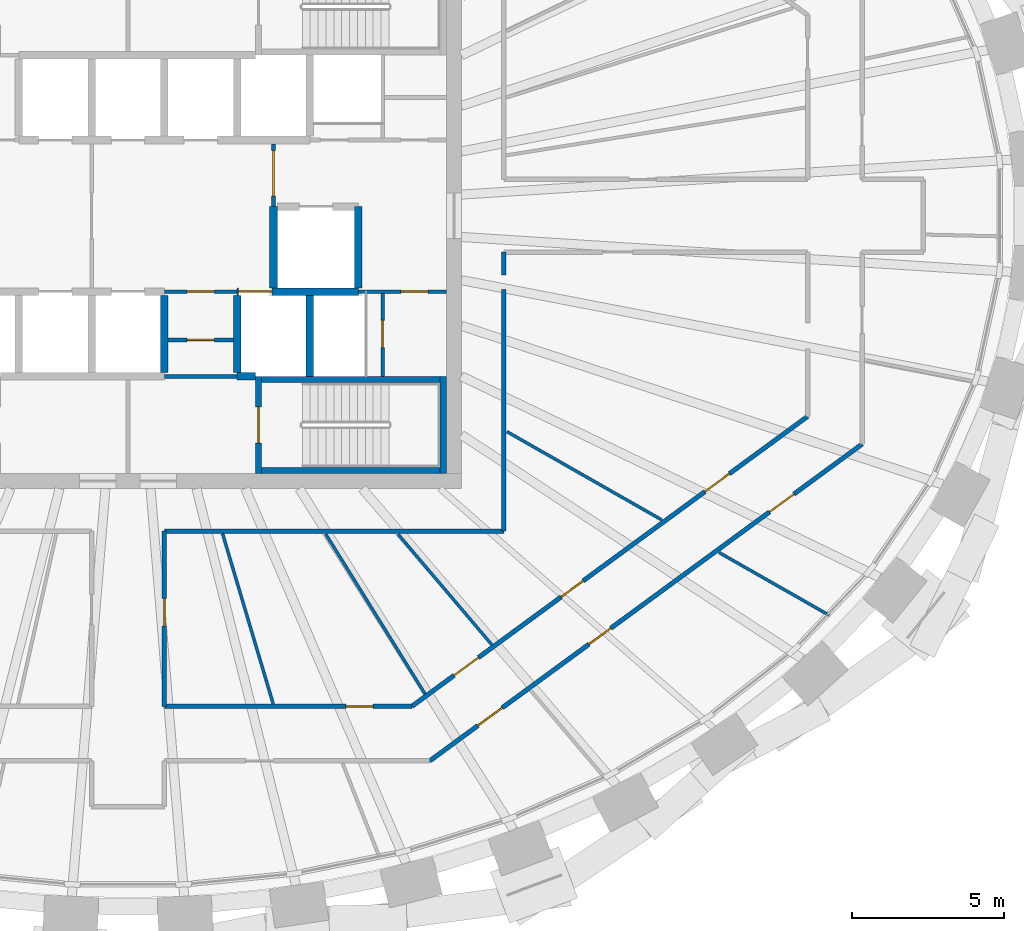
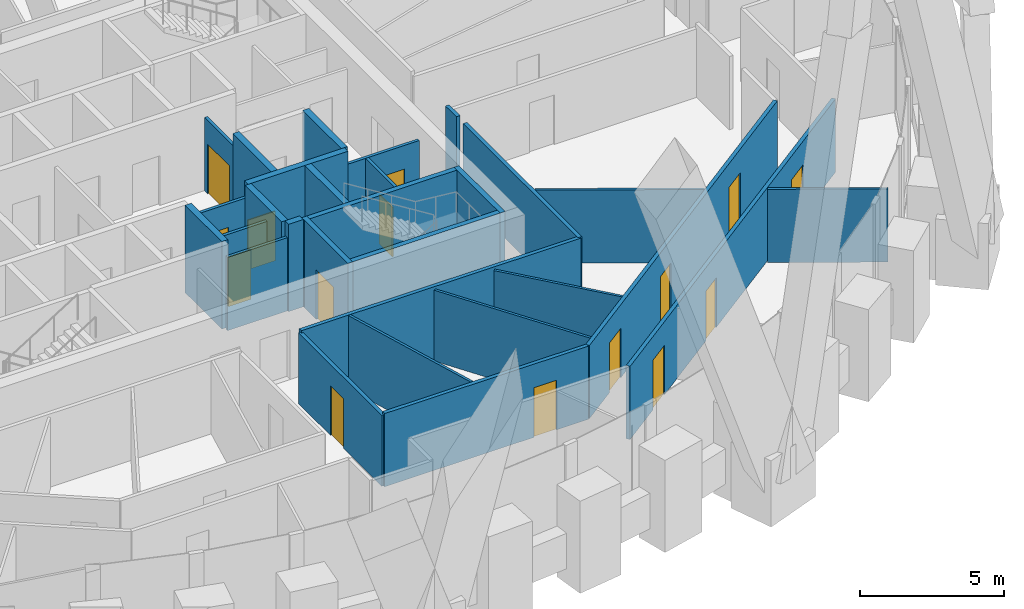
# One storey, part 9 of 13: 29 walls, 15 doors, 15 openings.
"""IFC4 building model written with IfcOpenShell, lengths in metres."""

from ifc_helpers import new_model, si_unit, direction, frame, frame_2d, origin, place, context, subcontext, project, spatial, rectangle, extrude, source, transform, mapped, material, layer, layer_set, type_object, element, fill, save


model = new_model("IFC4")

# Units and contexts
model_context = context("Model", 3, precision=1e-05, world=origin(), true_north=direction((0.0, 1.0)))
body_context = subcontext(model_context, "Body", "Model", "MODEL_VIEW")
ifc_project = project(units=[si_unit("LENGTHUNIT", "METRE"), si_unit("AREAUNIT", "SQUARE_METRE"), si_unit("VOLUMEUNIT", "CUBIC_METRE"), si_unit("PLANEANGLEUNIT", "RADIAN"), si_unit("MASSUNIT", "GRAM", prefix="KILO")], contexts=[model_context])

# Site, building, storey
site_placement = place(None, origin())
site = spatial("IfcSite", under=ifc_project, at=site_placement, CompositionType="ELEMENT")
building_placement = place(site_placement, origin())
building = spatial("IfcBuilding", under=site, at=building_placement, Name="Embergate Tower", CompositionType="ELEMENT")
storey_placement = place(building_placement, frame((0.0, 0.0, 316.89990234375)))
storey = spatial("IfcBuildingStorey", under=building, at=storey_placement, Name="L74", CompositionType="ELEMENT", Elevation=316.89990234375)

# Wall, opening, door
ifc_material_1 = material(Name="Core partition blockwork 120")
ifc_layer_1 = layer(ifc_material_1, 0.1201171875)
ifc_layer_set_1 = layer_set([ifc_layer_1], Name="Core partition blockwork 120")
wall_type_1 = type_object("IfcWallType", Name="Core partition blockwork 120", PredefinedType="PARTITIONING", material=ifc_layer_set_1)
shared_shape_1 = source(origin(), body_context, "Body", "SweptSolid", [
    extrude(rectangle(XDim=2.739990234375, YDim=0.1201171875, at=frame_2d((1.3701171875, 0.0))), origin(), (0.0, 0.0, 1.0), 3.10009765625),
])
wall_1_placement = place(storey_placement, frame((8.39990234375, -5.300048828125, 0.0), z_axis=(0.0, 0.0, 1.0), x_axis=(0.0, 1.0, 0.0)))
wall_1 = element("IfcWall", 1, at=wall_1_placement, inside=storey, type_object=wall_type_1, Name="IP-3 wall", PredefinedType="PARTITIONING", context=body_context, shape_type="MappedRepresentation", body=[
    mapped(shared_shape_1, transform((0.0, 0.0, 0.0))),
])
shared_shape_2 = source(origin(), body_context, "Body", "SweptSolid", [
    extrude(rectangle(XDim=0.89990234375, YDim=2.10009765625, at=frame_2d((0.449951171875, 1.050048828125))), frame((0.0, 0.070068359375, 0.0), z_axis=(0.0, -1.0, 0.0), x_axis=(1.0, 0.0, 0.0)), (0.0, 0.0, 1.0), 0.14013671875),
])
opening_1_placement = place(wall_1_placement, frame((0.949951171875, 0.0, 0.0)))
opening_1 = element("IfcOpeningElement", 2, at=opening_1_placement, cuts=wall_1, Name="Opening ID-1", PredefinedType="OPENING", context=body_context, shape_type="MappedRepresentation", body=[
    mapped(shared_shape_2, transform((0.0, 0.0, 0.0))),
])
ifc_material_2 = material(Name="Interior door 900")
door_type_1 = type_object("IfcDoorType", Name="Interior door 900", OperationType="SINGLE_SWING_LEFT", PredefinedType="DOOR", material=ifc_material_2)
shared_shape_3 = source(origin(), body_context, "Body", "SweptSolid", [
    extrude(rectangle(XDim=0.89990234375, YDim=2.10009765625, at=frame_2d((0.449951171875, 1.050048828125))), frame((0.0, 0.02490234375, 0.0), z_axis=(0.0, -1.0, 0.0), x_axis=(1.0, 0.0, 0.0)), (0.0, 0.0, 1.0), 0.050048828125),
])
door_1_placement = place(opening_1_placement, origin())
door_1 = element("IfcDoor", 3, at=door_1_placement, inside=storey, type_object=door_type_1, Name="ID-1 door", OperationType="SINGLE_SWING_RIGHT", OverallHeight=2.10009765625, OverallWidth=0.89990234375, PredefinedType="DOOR", context=body_context, shape_type="MappedRepresentation", body=[
    mapped(shared_shape_3, transform((0.0, 0.0, 0.0))),
])
fill(opening_1, door_1)

shared_shape_4 = source(origin(), body_context, "Body", "SweptSolid", [
    extrude(rectangle(XDim=2.074951171875, YDim=0.1201171875, at=frame_2d((1.03759765625, 0.0))), origin(), (0.0, 0.0, 1.0), 3.10009765625),
])
wall_2_placement = place(storey_placement, frame((4.800048828125, 0.300048828125, 0.0), z_axis=(0.0, 0.0, 1.0), x_axis=(0.0, 1.0, 0.0)))
wall_2 = element("IfcWall", 4, at=wall_2_placement, inside=storey, type_object=wall_type_1, Name="IP-3 wall", PredefinedType="PARTITIONING", context=body_context, shape_type="MappedRepresentation", body=[
    mapped(shared_shape_4, transform((0.0, 0.0, 0.0))),
])
shared_shape_5 = source(origin(), body_context, "Body", "SweptSolid", [
    extrude(rectangle(XDim=1.5, YDim=2.10009765625, at=frame_2d((0.75, 1.050048828125))), frame((0.0, 0.070068359375, 0.0), z_axis=(0.0, -1.0, 0.0), x_axis=(1.0, 0.0, 0.0)), (0.0, 0.0, 1.0), 0.14013671875),
])
opening_2_placement = place(wall_2_placement, frame((0.35009765625, 0.0, 0.0)))
opening_2 = element("IfcOpeningElement", 5, at=opening_2_placement, cuts=wall_2, Name="Opening IF-3", PredefinedType="OPENING", context=body_context, shape_type="MappedRepresentation", body=[
    mapped(shared_shape_5, transform((0.0, 0.0, 0.0))),
])
ifc_material_3 = material(Name="Lobby fire door pair 1500")
door_type_2 = type_object("IfcDoorType", Name="Lobby fire door pair 1500", OperationType="DOUBLE_DOOR_SINGLE_SWING", PredefinedType="DOOR", material=ifc_material_3)
shared_shape_6 = source(origin(), body_context, "Body", "SweptSolid", [
    extrude(rectangle(XDim=1.5, YDim=2.10009765625, at=frame_2d((0.75, 1.050048828125))), frame((0.0, 0.02490234375, 0.0), z_axis=(0.0, -1.0, 0.0), x_axis=(1.0, 0.0, 0.0)), (0.0, 0.0, 1.0), 0.050048828125),
])
door_2_placement = place(opening_2_placement, origin())
door_2 = element("IfcDoor", 6, at=door_2_placement, inside=storey, type_object=door_type_2, Name="IF-3 door", OperationType="DOUBLE_DOOR_SINGLE_SWING", OverallHeight=2.10009765625, OverallWidth=1.5, PredefinedType="DOOR", context=body_context, shape_type="MappedRepresentation", body=[
    mapped(shared_shape_6, transform((0.0, 0.0, 0.0))),
])
fill(opening_2, door_2)

# Walls
ifc_material_4 = material(Name="Concrete C50", Category="concrete")
ifc_layer_2 = layer(ifc_material_4, 0.25)
ifc_layer_set_2 = layer_set([ifc_layer_2], Name="Concrete C50")
wall_type_2 = type_object("IfcWallType", Name="Hoistway wall reinforced concrete 250", PredefinedType="SHEAR", material=ifc_layer_set_2)
shared_shape_7 = source(origin(), body_context, "Body", "SweptSolid", [
    extrude(rectangle(XDim=2.675048828125, YDim=0.25, at=frame_2d((1.33740234375, 0.0))), origin(), (0.0, 0.0, 1.0), 3.7001953125),
])
for number, where, z_axis, x_axis, name in (
    (7, (6.0, -5.300048828125, 0.0), (0.0, 0.0, 1.0), (0.0, 1.0, 0.0), "HW-1 wall"),
    (8, (4.800048828125, -2.375, 0.0), (0.0, 0.0, 1.0), (0.0, 1.0, 0.0), "HW-1 wall"),
    (9, (7.60009765625, -2.375, 0.0), (0.0, 0.0, 1.0), (0.0, 1.0, 0.0), "HW-1 wall"),
):
    element("IfcWall", number, at=place(storey_placement, frame(where, z_axis=z_axis, x_axis=x_axis)), inside=storey, type_object=wall_type_2, Name=name, PredefinedType="SHEAR", context=body_context, shape_type="MappedRepresentation", body=[
        mapped(shared_shape_7, transform((0.0, 0.0, 0.0))),
    ])
ifc_layer_3 = layer(ifc_material_4, 0.199951171875)
ifc_layer_set_3 = layer_set([ifc_layer_3], Name="Concrete C50")
wall_type_3 = type_object("IfcWallType", Name="Stair enclosure wall reinforced concrete 250", PredefinedType="SHEAR", material=ifc_layer_set_3)
shared_shape_8 = source(origin(), body_context, "Body", "SweptSolid", [
    extrude(rectangle(XDim=6.300048828125, YDim=0.199951171875, at=frame_2d((3.14990234375, 0.0))), origin(), (0.0, 0.0, 1.0), 3.7001953125),
])
wall_3_placement = place(storey_placement, frame((4.199951171875, -5.39990234375, 0.0), z_axis=(0.0, 0.0, 1.0), x_axis=(1.0, 0.0, 0.0)))
element("IfcWall", 10, at=wall_3_placement, inside=storey, type_object=wall_type_3, Name="SE-1 wall", PredefinedType="SHEAR", context=body_context, shape_type="MappedRepresentation", body=[
    mapped(shared_shape_8, transform((0.0, 0.0, 0.0))),
])
shared_shape_9 = source(origin(), body_context, "Body", "SweptSolid", [
    extrude(rectangle(XDim=2.550048828125, YDim=0.25, at=frame_2d((1.27490234375, 0.0))), origin(), (0.0, 0.0, 1.0), 3.7001953125),
])
for number, where, z_axis, x_axis, name in (
    (11, (1.199951171875, -5.175048828125, 0.0), (0.0, 0.0, 1.0), (0.0, 1.0, 0.0), "HW-1 wall"),
    (12, (3.60009765625, -2.625, 0.0), (0.0, 0.0, 1.0), (0.0, -1.0, 0.0), "HW-1 wall"),
):
    element("IfcWall", number, at=place(storey_placement, frame(where, z_axis=z_axis, x_axis=x_axis)), inside=storey, type_object=wall_type_2, Name=name, PredefinedType="SHEAR", context=body_context, shape_type="MappedRepresentation", body=[
        mapped(shared_shape_9, transform((0.0, 0.0, 0.0))),
    ])

# Wall, opening, door
shared_shape_10 = source(origin(), body_context, "Body", "SweptSolid", [
    extrude(rectangle(XDim=3.199951171875, YDim=0.199951171875, at=frame_2d((1.60009765625, 0.0))), origin(), (0.0, 0.0, 1.0), 3.7001953125),
])
wall_4_placement = place(storey_placement, frame((4.300048828125, -5.300048828125, 0.0), z_axis=(0.0, 0.0, 1.0), x_axis=(0.0, -1.0, 0.0)))
wall_4 = element("IfcWall", 13, at=wall_4_placement, inside=storey, type_object=wall_type_3, Name="SE-1 wall", PredefinedType="SHEAR", context=body_context, shape_type="MappedRepresentation", body=[
    mapped(shared_shape_10, transform((0.0, 0.0, 0.0))),
])
shared_shape_11 = source(origin(), body_context, "Body", "SweptSolid", [
    extrude(rectangle(XDim=1.199951171875, YDim=2.10009765625, at=frame_2d((0.60009765625, 1.050048828125))), frame((0.0, 0.10986328125, 0.0), z_axis=(0.0, -1.0, 0.0), x_axis=(1.0, 0.0, 0.0)), (0.0, 0.0, 1.0), 0.219970703125),
])
opening_3_placement = place(wall_4_placement, frame((1.0, 0.0, 0.0)))
opening_3 = element("IfcOpeningElement", 14, at=opening_3_placement, cuts=wall_4, Name="Opening IF-2", PredefinedType="OPENING", context=body_context, shape_type="MappedRepresentation", body=[
    mapped(shared_shape_11, transform((0.0, 0.0, 0.0))),
])
ifc_material_5 = material(Name="Stair enclosure door 1200")
door_type_3 = type_object("IfcDoorType", Name="Stair enclosure door 1200", OperationType="SINGLE_SWING_LEFT", PredefinedType="DOOR", material=ifc_material_5)
shared_shape_12 = source(origin(), body_context, "Body", "SweptSolid", [
    extrude(rectangle(XDim=1.199951171875, YDim=2.10009765625, at=frame_2d((0.60009765625, 1.050048828125))), frame((0.0, 0.02490234375, 0.0), z_axis=(0.0, -1.0, 0.0), x_axis=(1.0, 0.0, 0.0)), (0.0, 0.0, 1.0), 0.050048828125),
])
door_3_placement = place(opening_3_placement, origin())
door_3 = element("IfcDoor", 15, at=door_3_placement, inside=storey, type_object=door_type_3, Name="IF-2 door", OperationType="SINGLE_SWING_LEFT", OverallHeight=2.10009765625, OverallWidth=1.199951171875, PredefinedType="DOOR", context=body_context, shape_type="MappedRepresentation", body=[
    mapped(shared_shape_12, transform((0.0, 0.0, 0.0))),
])
fill(opening_3, door_3)

# Walls
shared_shape_13 = source(origin(), body_context, "Body", "SweptSolid", [
    extrude(rectangle(XDim=0.599853515625, YDim=0.25, at=frame_2d((0.2998046875, 0.0))), origin(), (0.0, 0.0, 1.0), 3.7001953125),
])
wall_5_placement = place(storey_placement, frame((3.60009765625, -5.300048828125, 0.0), z_axis=(0.0, 0.0, 1.0), x_axis=(1.0, 0.0, 0.0)))
element("IfcWall", 16, at=wall_5_placement, inside=storey, type_object=wall_type_2, Name="HW-1 wall", PredefinedType="SHEAR", context=body_context, shape_type="MappedRepresentation", body=[
    mapped(shared_shape_13, transform((0.0, 0.0, 0.0))),
])
ifc_material_6 = material(Name="Corridor wall dry-lined 150")
ifc_layer_4 = layer(ifc_material_6, 0.14990234375)
ifc_layer_set_4 = layer_set([ifc_layer_4], Name="Corridor wall dry-lined 150")
wall_type_4 = type_object("IfcWallType", Name="Corridor wall dry-lined 150", PredefinedType="PARTITIONING", material=ifc_layer_set_4)
shared_shape_14 = source(origin(), body_context, "Body", "SweptSolid", [
    extrude(rectangle(XDim=11.199951171875, YDim=0.14990234375, at=frame_2d((5.60009765625, 0.0))), origin(), (0.0, 0.0, 1.0), 3.10009765625),
])
wall_6_placement = place(storey_placement, frame((12.39990234375, -10.39990234375, 0.0), z_axis=(0.0, 0.0, 1.0), x_axis=(-1.0, 0.0, 0.0)))
element("IfcWall", 17, at=wall_6_placement, inside=storey, type_object=wall_type_4, Name="IP-2 wall", PredefinedType="PARTITIONING", context=body_context, shape_type="MappedRepresentation", body=[
    mapped(shared_shape_14, transform((0.0, 0.0, 0.0))),
])

# Wall, opening, door
shared_shape_15 = source(origin(), body_context, "Body", "SweptSolid", [
    extrude(rectangle(XDim=2.89990234375, YDim=0.1201171875, at=frame_2d((1.449951171875, 0.0))), origin(), (0.0, 0.0, 1.0), 3.10009765625),
])
wall_7_placement = place(storey_placement, frame((10.5, -2.5, 0.0), z_axis=(0.0, 0.0, 1.0), x_axis=(-1.0, 0.0, 0.0)))
wall_7 = element("IfcWall", 18, at=wall_7_placement, inside=storey, type_object=wall_type_1, Name="IP-3 wall", PredefinedType="PARTITIONING", context=body_context, shape_type="MappedRepresentation", body=[
    mapped(shared_shape_15, transform((0.0, 0.0, 0.0))),
])
opening_4_placement = place(wall_7_placement, frame((0.60009765625, 0.0, 0.0)))
opening_4 = element("IfcOpeningElement", 19, at=opening_4_placement, cuts=wall_7, Name="Opening ID-1", PredefinedType="OPENING", context=body_context, shape_type="MappedRepresentation", body=[
    mapped(shared_shape_2, transform((0.0, 0.0, 0.0))),
])
door_4_placement = place(opening_4_placement, origin())
door_4 = element("IfcDoor", 20, at=door_4_placement, inside=storey, type_object=door_type_1, Name="ID-1 door", OperationType="SINGLE_SWING_LEFT", OverallHeight=2.10009765625, OverallWidth=0.89990234375, PredefinedType="DOOR", context=body_context, shape_type="MappedRepresentation", body=[
    mapped(shared_shape_3, transform((0.0, 0.0, 0.0))),
])
fill(opening_4, door_4)

shared_shape_16 = source(origin(), body_context, "Body", "SweptSolid", [
    extrude(rectangle(XDim=2.400146484375, YDim=0.1201171875, at=frame_2d((1.2001953125, 0.0))), origin(), (0.0, 0.0, 1.0), 3.10009765625),
])
wall_8_placement = place(storey_placement, frame((1.199951171875, -2.5, 0.0), z_axis=(0.0, 0.0, 1.0), x_axis=(1.0, 0.0, 0.0)))
wall_8 = element("IfcWall", 21, at=wall_8_placement, inside=storey, type_object=wall_type_1, Name="IP-3 wall", PredefinedType="PARTITIONING", context=body_context, shape_type="MappedRepresentation", body=[
    mapped(shared_shape_16, transform((0.0, 0.0, 0.0))),
])
opening_5_placement = place(wall_8_placement, frame((0.75, 0.0, 0.0)))
opening_5 = element("IfcOpeningElement", 22, at=opening_5_placement, cuts=wall_8, Name="Opening ID-1", PredefinedType="OPENING", context=body_context, shape_type="MappedRepresentation", body=[
    mapped(shared_shape_2, transform((0.0, 0.0, 0.0))),
])
door_5_placement = place(opening_5_placement, origin())
door_5 = element("IfcDoor", 23, at=door_5_placement, inside=storey, type_object=door_type_1, Name="ID-1 door", OperationType="SINGLE_SWING_LEFT", OverallHeight=2.10009765625, OverallWidth=0.89990234375, PredefinedType="DOOR", context=body_context, shape_type="MappedRepresentation", body=[
    mapped(shared_shape_3, transform((0.0, 0.0, 0.0))),
])
fill(opening_5, door_5)

# Wall
wall_9_placement = place(storey_placement, frame((3.60009765625, -5.300048828125, 0.0), z_axis=(0.0, 0.0, 1.0), x_axis=(-1.0, 0.0, 0.0)))
element("IfcWall", 24, at=wall_9_placement, inside=storey, type_object=wall_type_1, Name="IP-3 wall", PredefinedType="PARTITIONING", context=body_context, shape_type="MappedRepresentation", body=[
    mapped(shared_shape_16, transform((0.0, 0.0, 0.0))),
])

# Wall, opening, door
shared_shape_17 = source(origin(), body_context, "Body", "SweptSolid", [
    extrude(rectangle(XDim=2.150146484375, YDim=0.1201171875, at=frame_2d((1.0751953125, 0.0))), origin(), (0.0, 0.0, 1.0), 3.10009765625),
])
wall_10_placement = place(storey_placement, frame((3.47509765625, -4.095947265625, 0.0), z_axis=(0.0, 0.0, 1.0), x_axis=(-1.0, 0.0, 0.0)))
wall_10 = element("IfcWall", 25, at=wall_10_placement, inside=storey, type_object=wall_type_1, Name="IP-3 wall", PredefinedType="PARTITIONING", context=body_context, shape_type="MappedRepresentation", body=[
    mapped(shared_shape_17, transform((0.0, 0.0, 0.0))),
])
opening_6_placement = place(wall_10_placement, frame((0.625, 0.0, 0.0)))
opening_6 = element("IfcOpeningElement", 26, at=opening_6_placement, cuts=wall_10, Name="Opening ID-1", PredefinedType="OPENING", context=body_context, shape_type="MappedRepresentation", body=[
    mapped(shared_shape_2, transform((0.0, 0.0, 0.0))),
])
door_6_placement = place(opening_6_placement, origin())
door_6 = element("IfcDoor", 27, at=door_6_placement, inside=storey, type_object=door_type_1, Name="ID-1 door", OperationType="SINGLE_SWING_RIGHT", OverallHeight=2.10009765625, OverallWidth=0.89990234375, PredefinedType="DOOR", context=body_context, shape_type="MappedRepresentation", body=[
    mapped(shared_shape_3, transform((0.0, 0.0, 0.0))),
])
fill(opening_6, door_6)

shared_shape_18 = source(origin(), body_context, "Body", "SweptSolid", [
    extrude(rectangle(XDim=4.0, YDim=0.25, at=frame_2d((2.0, 0.0))), origin(), (0.0, 0.0, 1.0), 3.7001953125),
])
wall_11_placement = place(storey_placement, frame((7.60009765625, -2.5, 0.0), z_axis=(0.0, 0.0, 1.0), x_axis=(-1.0, 0.0, 0.0)))
wall_11 = element("IfcWall", 28, at=wall_11_placement, inside=storey, type_object=wall_type_2, Name="HW-1 wall", PredefinedType="SHEAR", context=body_context, shape_type="MappedRepresentation", body=[
    mapped(shared_shape_18, transform((0.0, 0.0, 0.0))),
])
shared_shape_19 = source(origin(), body_context, "Body", "SweptSolid", [
    extrude(rectangle(XDim=1.10009765625, YDim=2.10009765625, at=frame_2d((0.550048828125, 1.050048828125))), frame((0.0, 0.135009765625, 0.0), z_axis=(0.0, -1.0, 0.0), x_axis=(1.0, 0.0, 0.0)), (0.0, 0.0, 1.0), 0.27001953125),
])
opening_7_placement = place(wall_11_placement, frame((2.85009765625, 0.0, 0.0)))
opening_7 = element("IfcOpeningElement", 29, at=opening_7_placement, cuts=wall_11, Name="Opening LD", PredefinedType="OPENING", context=body_context, shape_type="MappedRepresentation", body=[
    mapped(shared_shape_19, transform((0.0, 0.0, 0.0))),
])
ifc_material_7 = material(Name="Landing door sliding 1100")
door_type_4 = type_object("IfcDoorType", Name="Landing door sliding 1100", OperationType="SLIDING_TO_LEFT", PredefinedType="DOOR", material=ifc_material_7)
shared_shape_20 = source(origin(), body_context, "Body", "SweptSolid", [
    extrude(rectangle(XDim=1.10009765625, YDim=2.10009765625, at=frame_2d((0.550048828125, 1.050048828125))), frame((0.0, 0.02490234375, 0.0), z_axis=(0.0, -1.0, 0.0), x_axis=(1.0, 0.0, 0.0)), (0.0, 0.0, 1.0), 0.050048828125),
])
door_7_placement = place(opening_7_placement, origin())
door_7 = element("IfcDoor", 30, at=door_7_placement, inside=storey, type_object=door_type_4, Name="LD door", OperationType="SLIDING_TO_RIGHT", OverallHeight=2.10009765625, OverallWidth=1.10009765625, PredefinedType="DOOR", context=body_context, shape_type="MappedRepresentation", body=[
    mapped(shared_shape_20, transform((0.0, 0.0, 0.0))),
])
fill(opening_7, door_7)

# Walls
shared_shape_21 = source(origin(), body_context, "Body", "SweptSolid", [
    extrude(rectangle(XDim=6.298095703125, YDim=0.199951171875, at=frame_2d((3.14892578125, 0.0))), origin(), (0.0, 0.0, 1.0), 3.7001953125),
])
wall_12_placement = place(storey_placement, frame((4.201904296875, -8.39990234375, 0.0), z_axis=(0.0, 0.0, 1.0), x_axis=(1.0, 0.0, 0.0)))
element("IfcWall", 31, at=wall_12_placement, inside=storey, type_object=wall_type_3, Name="SE-1 wall", PredefinedType="SHEAR", context=body_context, shape_type="MappedRepresentation", body=[
    mapped(shared_shape_21, transform((0.0, 0.0, 0.0))),
])
shared_shape_22 = source(origin(), body_context, "Body", "SweptSolid", [
    extrude(rectangle(XDim=3.197998046875, YDim=0.199951171875, at=frame_2d((1.59912109375, 0.0))), origin(), (0.0, 0.0, 1.0), 3.7001953125),
])
wall_13_placement = place(storey_placement, frame((10.39990234375, -8.5, 0.0), z_axis=(0.0, 0.0, 1.0), x_axis=(0.0, 1.0, 0.0)))
element("IfcWall", 32, at=wall_13_placement, inside=storey, type_object=wall_type_3, Name="SE-1 wall", PredefinedType="SHEAR", context=body_context, shape_type="MappedRepresentation", body=[
    mapped(shared_shape_22, transform((0.0, 0.0, 0.0))),
])

# Wall, openings, doors
shared_shape_23 = source(origin(), body_context, "Body", "SweptSolid", [
    extrude(rectangle(XDim=17.682373046875, YDim=0.14990234375, at=frame_2d((8.84130859375, 0.0))), origin(), (0.0, 0.0, 1.0), 3.10009765625),
])
wall_14_placement = place(storey_placement, frame((24.217041015625, -7.532958984375, 0.0), z_axis=(0.0, 0.0, 1.0), x_axis=(-0.806686271558, -0.590979914447, 0.0)))
wall_14 = element("IfcWall", 33, at=wall_14_placement, inside=storey, type_object=wall_type_4, Name="IP-2 wall", PredefinedType="PARTITIONING", context=body_context, shape_type="MappedRepresentation", body=[
    mapped(shared_shape_23, transform((0.0, 0.0, 0.0))),
])
shared_shape_24 = source(origin(), body_context, "Body", "SweptSolid", [
    extrude(rectangle(XDim=1.0, YDim=2.10009765625, at=frame_2d((0.5, 1.050048828125))), frame((0.0, 0.0849609375, 0.0), z_axis=(0.0, -1.0, 0.0), x_axis=(1.0, 0.0, 0.0)), (0.0, 0.0, 1.0), 0.169921875),
])
opening_8_placement = place(wall_14_placement, frame((14.714599609375, 0.0, 0.0)))
opening_8 = element("IfcOpeningElement", 34, at=opening_8_placement, cuts=wall_14, Name="Opening ID-2", PredefinedType="OPENING", context=body_context, shape_type="MappedRepresentation", body=[
    mapped(shared_shape_24, transform((0.0, 0.0, 0.0))),
])
shared_shape_25 = source(origin(), body_context, "Body", "SweptSolid", [
    extrude(rectangle(XDim=0.89990234375, YDim=2.10009765625, at=frame_2d((0.449951171875, 1.050048828125))), frame((0.0, 0.0849609375, 0.0), z_axis=(0.0, -1.0, 0.0), x_axis=(1.0, 0.0, 0.0)), (0.0, 0.0, 1.0), 0.169921875),
])
opening_9_placement = place(wall_14_placement, frame((10.27099609375, 0.0, 0.0)))
opening_9 = element("IfcOpeningElement", 35, at=opening_9_placement, cuts=wall_14, Name="Opening IF-1c", PredefinedType="OPENING", context=body_context, shape_type="MappedRepresentation", body=[
    mapped(shared_shape_25, transform((0.0, 0.0, 0.0))),
])
opening_10_placement = place(wall_14_placement, frame((2.786376953125, 0.0, 0.0)))
opening_10 = element("IfcOpeningElement", 36, at=opening_10_placement, cuts=wall_14, Name="Opening ID-2", PredefinedType="OPENING", context=body_context, shape_type="MappedRepresentation", body=[
    mapped(shared_shape_24, transform((0.0, 0.0, 0.0))),
])
ifc_material_8 = material(Name="Escape fire door 900")
door_type_5 = type_object("IfcDoorType", Name="Escape fire door 900", OperationType="SINGLE_SWING_LEFT", PredefinedType="DOOR", material=ifc_material_8)
door_8_placement = place(opening_9_placement, origin())
door_8 = element("IfcDoor", 37, at=door_8_placement, inside=storey, type_object=door_type_5, Name="IF-1 door", OperationType="SINGLE_SWING_RIGHT", OverallHeight=2.10009765625, OverallWidth=0.89990234375, PredefinedType="DOOR", context=body_context, shape_type="MappedRepresentation", body=[
    mapped(shared_shape_3, transform((0.0, 0.0, 0.0))),
])
fill(opening_9, door_8)
ifc_material_9 = material(Name="Interior door 1000")
door_type_6 = type_object("IfcDoorType", Name="Interior door 1000", OperationType="SINGLE_SWING_LEFT", PredefinedType="DOOR", material=ifc_material_9)
shared_shape_26 = source(origin(), body_context, "Body", "SweptSolid", [
    extrude(rectangle(XDim=1.0, YDim=2.10009765625, at=frame_2d((0.5, 1.050048828125))), frame((0.0, 0.02490234375, 0.0), z_axis=(0.0, -1.0, 0.0), x_axis=(1.0, 0.0, 0.0)), (0.0, 0.0, 1.0), 0.050048828125),
])
door_9_placement = place(opening_8_placement, origin())
door_9 = element("IfcDoor", 38, at=door_9_placement, inside=storey, type_object=door_type_6, Name="ID-2 door", OperationType="SINGLE_SWING_LEFT", OverallHeight=2.10009765625, OverallWidth=1.0, PredefinedType="DOOR", context=body_context, shape_type="MappedRepresentation", body=[
    mapped(shared_shape_26, transform((0.0, 0.0, 0.0))),
])
fill(opening_8, door_9)
door_10_placement = place(opening_10_placement, origin())
door_10 = element("IfcDoor", 39, at=door_10_placement, inside=storey, type_object=door_type_6, Name="ID-2 door", OperationType="SINGLE_SWING_RIGHT", OverallHeight=2.10009765625, OverallWidth=1.0, PredefinedType="DOOR", context=body_context, shape_type="MappedRepresentation", body=[
    mapped(shared_shape_26, transform((0.0, 0.0, 0.0))),
])
fill(opening_10, door_10)

shared_shape_27 = source(origin(), body_context, "Body", "SweptSolid", [
    extrude(rectangle(XDim=16.18115234375, YDim=0.14990234375, at=frame_2d((8.090576171875, 0.0))), origin(), (0.0, 0.0, 1.0), 3.10009765625),
])
wall_15_placement = place(storey_placement, frame((22.4169921875, -6.6201171875, 0.0), z_axis=(0.0, 0.0, 1.0), x_axis=(-0.80667592694, -0.590994034569, 0.0)))
wall_15 = element("IfcWall", 40, at=wall_15_placement, inside=storey, type_object=wall_type_4, Name="IP-2 wall", PredefinedType="PARTITIONING", context=body_context, shape_type="MappedRepresentation", body=[
    mapped(shared_shape_27, transform((0.0, 0.0, 0.0))),
])
opening_11_placement = place(wall_15_placement, frame((13.4560546875, 0.0, 0.0)))
opening_11 = element("IfcOpeningElement", 41, at=opening_11_placement, cuts=wall_15, Name="Opening ID-2", PredefinedType="OPENING", context=body_context, shape_type="MappedRepresentation", body=[
    mapped(shared_shape_24, transform((0.0, 0.0, 0.0))),
])
opening_12_placement = place(wall_15_placement, frame((9.174560546875, 0.0, 0.0)))
opening_12 = element("IfcOpeningElement", 42, at=opening_12_placement, cuts=wall_15, Name="Opening IF-1c", PredefinedType="OPENING", context=body_context, shape_type="MappedRepresentation", body=[
    mapped(shared_shape_25, transform((0.0, 0.0, 0.0))),
])
opening_13_placement = place(wall_15_placement, frame((3.193115234375, 0.0, 0.0)))
opening_13 = element("IfcOpeningElement", 43, at=opening_13_placement, cuts=wall_15, Name="Opening ID-2", PredefinedType="OPENING", context=body_context, shape_type="MappedRepresentation", body=[
    mapped(shared_shape_24, transform((0.0, 0.0, 0.0))),
])
door_11_placement = place(opening_12_placement, origin())
door_11 = element("IfcDoor", 44, at=door_11_placement, inside=storey, type_object=door_type_5, Name="IF-1 door", OperationType="SINGLE_SWING_RIGHT", OverallHeight=2.10009765625, OverallWidth=0.89990234375, PredefinedType="DOOR", context=body_context, shape_type="MappedRepresentation", body=[
    mapped(shared_shape_3, transform((0.0, 0.0, 0.0))),
])
fill(opening_12, door_11)
door_12_placement = place(opening_11_placement, origin())
door_12 = element("IfcDoor", 45, at=door_12_placement, inside=storey, type_object=door_type_6, Name="ID-2 door", OperationType="SINGLE_SWING_LEFT", OverallHeight=2.10009765625, OverallWidth=1.0, PredefinedType="DOOR", context=body_context, shape_type="MappedRepresentation", body=[
    mapped(shared_shape_26, transform((0.0, 0.0, 0.0))),
])
fill(opening_11, door_12)
door_13_placement = place(opening_13_placement, origin())
door_13 = element("IfcDoor", 46, at=door_13_placement, inside=storey, type_object=door_type_6, Name="ID-2 door", OperationType="SINGLE_SWING_RIGHT", OverallHeight=2.10009765625, OverallWidth=1.0, PredefinedType="DOOR", context=body_context, shape_type="MappedRepresentation", body=[
    mapped(shared_shape_26, transform((0.0, 0.0, 0.0))),
])
fill(opening_13, door_13)

# Wall, opening, door
shared_shape_28 = source(origin(), body_context, "Body", "SweptSolid", [
    extrude(rectangle(XDim=8.1640625, YDim=0.14990234375, at=frame_2d((4.08203125, 0.0))), origin(), (0.0, 0.0, 1.0), 3.10009765625),
])
wall_16_placement = place(storey_placement, frame((1.199951171875, -16.18310546875, 0.0), z_axis=(0.0, 0.0, 1.0), x_axis=(1.0, 0.0, 0.0)))
wall_16 = element("IfcWall", 47, at=wall_16_placement, inside=storey, type_object=wall_type_4, Name="IP-2 wall", PredefinedType="PARTITIONING", context=body_context, shape_type="MappedRepresentation", body=[
    mapped(shared_shape_28, transform((0.0, 0.0, 0.0))),
])
opening_14_placement = place(wall_16_placement, frame((5.987060546875, 0.0, 0.0)))
opening_14 = element("IfcOpeningElement", 48, at=opening_14_placement, cuts=wall_16, Name="Opening IF-1c", PredefinedType="OPENING", context=body_context, shape_type="MappedRepresentation", body=[
    mapped(shared_shape_25, transform((0.0, 0.0, 0.0))),
])
door_14_placement = place(opening_14_placement, origin())
door_14 = element("IfcDoor", 49, at=door_14_placement, inside=storey, type_object=door_type_5, Name="IF-1 door", OperationType="SINGLE_SWING_LEFT", OverallHeight=2.10009765625, OverallWidth=0.89990234375, PredefinedType="DOOR", context=body_context, shape_type="MappedRepresentation", body=[
    mapped(shared_shape_3, transform((0.0, 0.0, 0.0))),
])
fill(opening_14, door_14)

shared_shape_29 = source(origin(), body_context, "Body", "SweptSolid", [
    extrude(rectangle(XDim=5.783203125, YDim=0.14990234375, at=frame_2d((2.8916015625, 0.0))), origin(), (0.0, 0.0, 1.0), 3.0),
])
wall_17_placement = place(storey_placement, frame((1.199951171875, -10.39990234375, 0.0), z_axis=(0.0, 0.0, 1.0), x_axis=(0.0, -1.0, 0.0)))
wall_17 = element("IfcWall", 50, at=wall_17_placement, inside=storey, type_object=wall_type_4, Name="IP-2 wall", PredefinedType="PARTITIONING", context=body_context, shape_type="MappedRepresentation", body=[
    mapped(shared_shape_29, transform((0.0, 0.0, 0.0))),
])
opening_15_placement = place(wall_17_placement, frame((2.22802734375, 0.0, 0.0)))
opening_15 = element("IfcOpeningElement", 51, at=opening_15_placement, cuts=wall_17, Name="Opening IF-1c", PredefinedType="OPENING", context=body_context, shape_type="MappedRepresentation", body=[
    mapped(shared_shape_25, transform((0.0, 0.0, 0.0))),
])
door_15_placement = place(opening_15_placement, origin())
door_15 = element("IfcDoor", 52, at=door_15_placement, inside=storey, type_object=door_type_5, Name="IF-1 door", OperationType="SINGLE_SWING_LEFT", OverallHeight=2.10009765625, OverallWidth=0.89990234375, PredefinedType="DOOR", context=body_context, shape_type="MappedRepresentation", body=[
    mapped(shared_shape_3, transform((0.0, 0.0, 0.0))),
])
fill(opening_15, door_15)

# Walls
shared_shape_30 = source(origin(), body_context, "Body", "SweptSolid", [
    extrude(rectangle(XDim=7.972900390625, YDim=0.14990234375, at=frame_2d((3.986328125, 0.0))), origin(), (0.0, 0.0, 1.0), 3.10009765625),
])
wall_18_placement = place(storey_placement, frame((12.39990234375, -2.427001953125, 0.0), z_axis=(0.0, 0.0, 1.0), x_axis=(0.0, -1.0, 0.0)))
element("IfcWall", 53, at=wall_18_placement, inside=storey, type_object=wall_type_4, Name="IP-2 wall", PredefinedType="PARTITIONING", context=body_context, shape_type="MappedRepresentation", body=[
    mapped(shared_shape_30, transform((0.0, 0.0, 0.0))),
])
shared_shape_31 = source(origin(), body_context, "Body", "SweptSolid", [
    extrude(rectangle(XDim=0.758056640625, YDim=0.14990234375, at=frame_2d((0.37890625, 0.0))), origin(), (0.0, 0.0, 1.0), 3.10009765625),
])
wall_19_placement = place(storey_placement, frame((12.39990234375, -1.199951171875, 0.0), z_axis=(0.0, 0.0, 1.0), x_axis=(0.0, -1.0, 0.0)))
element("IfcWall", 54, at=wall_19_placement, inside=storey, type_object=wall_type_4, Name="IP-2 wall", PredefinedType="PARTITIONING", context=body_context, shape_type="MappedRepresentation", body=[
    mapped(shared_shape_31, transform((0.0, 0.0, 0.0))),
])
ifc_material_10 = material(Name="Partition dry-lined 100")
ifc_layer_5 = layer(ifc_material_10, 0.10009765625)
ifc_layer_set_5 = layer_set([ifc_layer_5], Name="Partition dry-lined 100")
wall_type_5 = type_object("IfcWallType", Name="Partition dry-lined 100", PredefinedType="PARTITIONING", material=ifc_layer_set_5)
shared_shape_32 = source(origin(), body_context, "Body", "SweptSolid", [
    extrude(rectangle(XDim=4.78271484375, YDim=0.10009765625, at=frame_2d((2.391357421875, 0.0))), origin(), (0.0, 0.0, 1.0), 3.0),
])
wall_20_placement = place(storey_placement, frame((8.9130859375, -10.507080078125, 0.0), z_axis=(0.0, 0.0, 1.0), x_axis=(0.646708493857, -0.762737257496, 0.0)))
element("IfcWall", 55, at=wall_20_placement, inside=storey, type_object=wall_type_5, Name="IP-1 wall", PredefinedType="PARTITIONING", context=body_context, shape_type="MappedRepresentation", body=[
    mapped(shared_shape_32, transform((0.0, 0.0, 0.0))),
])
shared_shape_33 = source(origin(), body_context, "Body", "SweptSolid", [
    extrude(rectangle(XDim=5.84765625, YDim=0.10009765625, at=frame_2d((2.923828125, 0.0))), origin(), (0.0, 0.0, 1.0), 3.10009765625),
])
wall_21_placement = place(storey_placement, frame((3.12109375, -10.489013671875, 0.0), z_axis=(0.0, 0.0, 1.0), x_axis=(0.285071868511, -0.958506144886, 0.0)))
element("IfcWall", 56, at=wall_21_placement, inside=storey, type_object=wall_type_5, Name="IP-1 wall", PredefinedType="PARTITIONING", context=body_context, shape_type="MappedRepresentation", body=[
    mapped(shared_shape_33, transform((0.0, 0.0, 0.0))),
])
shared_shape_34 = source(origin(), body_context, "Body", "SweptSolid", [
    extrude(rectangle(XDim=6.205078125, YDim=0.10009765625, at=frame_2d((3.1025390625, 0.0))), origin(), (0.0, 0.0, 1.0), 3.0),
])
wall_22_placement = place(storey_placement, frame((6.52392578125, -10.5009765625, 0.0), z_axis=(0.0, 0.0, 1.0), x_axis=(0.527655672013, -0.849458352006, 0.0)))
element("IfcWall", 57, at=wall_22_placement, inside=storey, type_object=wall_type_5, Name="IP-1 wall", PredefinedType="PARTITIONING", context=body_context, shape_type="MappedRepresentation", body=[
    mapped(shared_shape_34, transform((0.0, 0.0, 0.0))),
])
shared_shape_35 = source(origin(), body_context, "Body", "SweptSolid", [
    extrude(rectangle(XDim=4.180908203125, YDim=0.10009765625, at=frame_2d((2.09033203125, 0.0))), origin(), (0.0, 0.0, 1.0), 3.10009765625),
])
wall_23_placement = place(storey_placement, frame((19.498046875, -11.10791015625, 0.0), z_axis=(0.0, 0.0, 1.0), x_axis=(0.86895733907, -0.494887000109, 0.0)))
element("IfcWall", 58, at=wall_23_placement, inside=storey, type_object=wall_type_5, Name="IP-1 wall", PredefinedType="PARTITIONING", context=body_context, shape_type="MappedRepresentation", body=[
    mapped(shared_shape_35, transform((0.0, 0.0, 0.0))),
])
shared_shape_36 = source(origin(), body_context, "Body", "SweptSolid", [
    extrude(rectangle(XDim=5.873046875, YDim=0.10009765625, at=frame_2d((2.9365234375, 0.0))), origin(), (0.0, 0.0, 1.0), 3.10009765625),
])
wall_24_placement = place(storey_placement, frame((12.5, -7.12109375, 0.0), z_axis=(0.0, 0.0, 1.0), x_axis=(0.868904936454, -0.494979000974, 0.0)))
element("IfcWall", 59, at=wall_24_placement, inside=storey, type_object=wall_type_5, Name="IP-1 wall", PredefinedType="PARTITIONING", context=body_context, shape_type="MappedRepresentation", body=[
    mapped(shared_shape_36, transform((0.0, 0.0, 0.0))),
])

save(model, "model.ifc")
